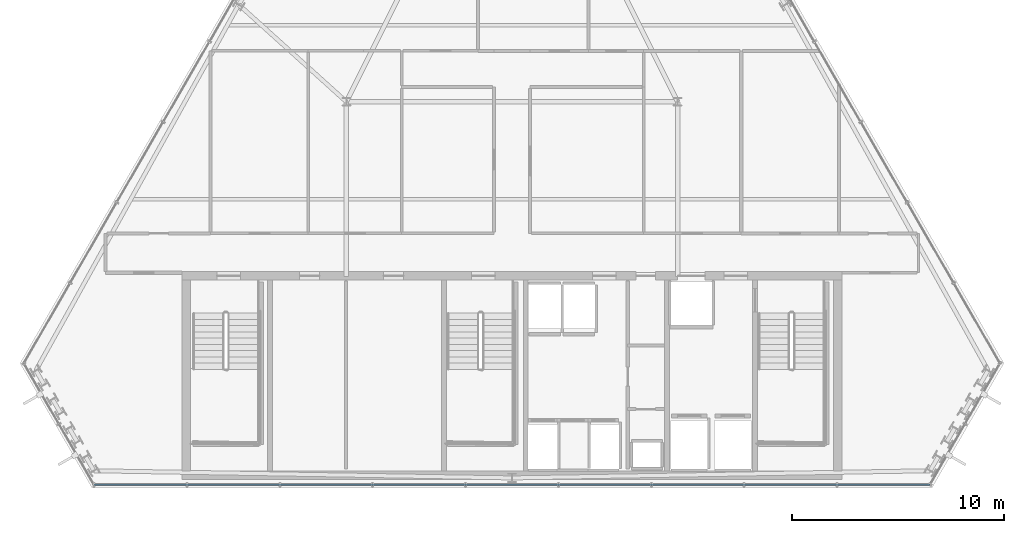
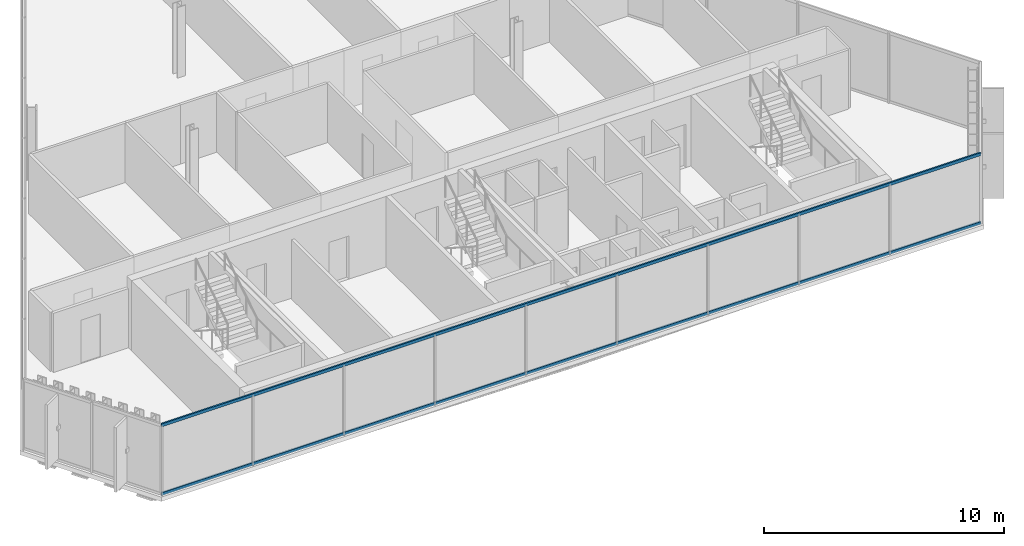
# One storey, part 7 of 29: 2 members, 1 element without a shape of its own.
"""IFC4 building model written with IfcOpenShell, lengths in metres."""

import ifcopenshell
import ifcopenshell.guid

model = None  # the IFC model being written
_history = None  # IfcOwnerHistory: only IFC2X3 demands one
_inside = {}  # id of a spatial element -> (the spatial element, [elements in it])
_under = {}  # id of a project, library or spatial element -> (it, [spatial elements below it])
_declared = {}  # id of a project -> (the project, [libraries it declares])
_typed = {}  # id of a type object -> (the type object, [elements of that type])
_made_of = {}  # id of a material, layer set ... -> (it, [elements and type objects made of it])


def new_model(schema):
    """Start an empty IFC model of exactly this schema.

    Asked for "IFC4X3", IfcOpenShell would pick the latest addendum, in which some entities
    have other attributes; the version numbers below select the first issue.
    IFC2X3 requires an IfcOwnerHistory on every rooted entity: one is made here for all.
    """
    global model, _history
    if schema == "IFC4X3":
        model = ifcopenshell.file(schema_version=(4, 3, 0, 0))
    else:
        model = ifcopenshell.file(schema=schema)
    _inside.clear()
    _under.clear()
    _declared.clear()
    _typed.clear()
    _made_of.clear()
    _history = None
    if model.schema == "IFC2X3":
        org = make("IfcOrganization", Name="unknown")
        user = make(
            "IfcPersonAndOrganization",
            ThePerson=make("IfcPerson", FamilyName="unknown"),
            TheOrganization=org,
        )
        app = make(
            "IfcApplication",
            ApplicationDeveloper=org,
            Version="unknown",
            ApplicationFullName="unknown",
            ApplicationIdentifier="unknown",
        )
        _history = make(
            "IfcOwnerHistory",
            OwningUser=user,
            OwningApplication=app,
            ChangeAction="ADDED",
            CreationDate=0,
        )
    return model


def make(cls, **values):
    """One entity of the class cls with the attributes given. An attribute that is None is left unset."""
    return model.create_entity(
        cls, **{name: value for name, value in values.items() if value is not None}
    )


def rooted(cls, **values):
    """An entity with a GlobalId (a new one), such as an element, a storey or a relation."""
    return make(cls, GlobalId=ifcopenshell.guid.new(), OwnerHistory=_history, **values)


def si_unit(unit_type, name, prefix=None):
    """IfcSIUnit, for example si_unit("LENGTHUNIT", "METRE", prefix="MILLI")."""
    return make("IfcSIUnit", UnitType=unit_type, Prefix=prefix, Name=name)


def assignment(units):
    """IfcUnitAssignment: the units of a project."""
    return None if units is None else make("IfcUnitAssignment", Units=units)


def point(xyz):
    """IfcCartesianPoint."""
    return None if xyz is None else make("IfcCartesianPoint", Coordinates=xyz)


def direction(xyz):
    """IfcDirection."""
    return None if xyz is None else make("IfcDirection", DirectionRatios=xyz)


def frame(location, z_axis=None, x_axis=None):
    """IfcAxis2Placement3D, a coordinate frame: its origin and axes. An axis left out is left unset."""
    return make(
        "IfcAxis2Placement3D",
        Location=point(location),
        Axis=direction(z_axis),
        RefDirection=direction(x_axis),
    )


def frame_2d(location, x_axis=None):
    """IfcAxis2Placement2D, a coordinate frame in the plane: its origin and x axis."""
    return make(
        "IfcAxis2Placement2D", Location=point(location), RefDirection=direction(x_axis)
    )


def origin():
    """The frame at (0, 0, 0) with its axes left unset."""
    return frame((0.0, 0.0, 0.0))


def origin_2d():
    """The frame at (0, 0) in the plane with its x axis left unset."""
    return frame_2d((0.0, 0.0))


def place(relative_to, where):
    """IfcLocalPlacement: puts the frame where relative to a parent placement (None: the world)."""
    return make(
        "IfcLocalPlacement", PlacementRelTo=relative_to, RelativePlacement=where
    )


def context(
    kind, dimensions, precision=None, world=None, true_north=None, identifier=None
):
    """IfcGeometricRepresentationContext, for example the 3D "Model" context."""
    return make(
        "IfcGeometricRepresentationContext",
        ContextIdentifier=identifier,
        ContextType=kind,
        CoordinateSpaceDimension=dimensions,
        Precision=precision,
        WorldCoordinateSystem=world,
        TrueNorth=true_north,
    )


def subcontext(parent, identifier, kind, view, scale=None):
    """IfcGeometricRepresentationSubContext, for example "Body" below "Model"."""
    return make(
        "IfcGeometricRepresentationSubContext",
        ContextIdentifier=identifier,
        ContextType=kind,
        ParentContext=parent,
        TargetScale=scale,
        TargetView=view,
    )


def project(units=None, contexts=None):
    """IfcProject with its units and contexts."""
    return rooted(
        "IfcProject",
        Name="project",
        RepresentationContexts=contexts,
        UnitsInContext=assignment(units),
    )


def spatial(cls, under=None, at=None, **own):
    """A site, building, storey or space (cls), placed at a placement, below another one or the project."""
    s = rooted(cls, ObjectPlacement=at, **own)
    if under is not None:
        _under.setdefault(under.id(), (under, []))[1].append(s)
    return s


def profile(cls, at=None, kind="AREA", **sizes):
    """A parametric profile (cls). Its sizes go by their IFC names, for example OverallWidth=200.0."""
    return make(cls, ProfileType=kind, Position=at, **sizes)


def hollow_rectangle(**sizes):
    """IfcRectangleHollowProfileDef."""
    return profile("IfcRectangleHollowProfileDef", **sizes)


def extrude(swept, where, along, depth):
    """IfcExtrudedAreaSolid: the profile swept, set in the frame where, extruded along a direction by depth."""
    return make(
        "IfcExtrudedAreaSolid",
        SweptArea=swept,
        Position=where,
        ExtrudedDirection=direction(along),
        Depth=depth,
    )


def shape(context_of_items, identifier, shape_type, items):
    """IfcShapeRepresentation: the items that make up one representation, for example the "Body"."""
    return make(
        "IfcShapeRepresentation",
        ContextOfItems=context_of_items,
        RepresentationIdentifier=identifier,
        RepresentationType=shape_type,
        Items=items,
    )


def material(Name=None, Category=None):
    """IfcMaterial."""
    return make("IfcMaterial", Name=Name, Category=Category)


def layer(
    of_material, thickness, ventilated=None, Name=None, Category=None, Priority=None
):
    """IfcMaterialLayer: one layer of a wall or slab, of a material (None: an air gap)."""
    return make(
        "IfcMaterialLayer",
        Material=of_material,
        LayerThickness=thickness,
        IsVentilated=ventilated,
        Name=Name,
        Category=Category,
        Priority=Priority,
    )


def layer_set(layers, Name=None):
    """IfcMaterialLayerSet."""
    return make("IfcMaterialLayerSet", MaterialLayers=layers, LayerSetName=Name)


def material_profile(
    of_material, cross_section, Name=None, Category=None, Priority=None
):
    """IfcMaterialProfile: a cross section and its material."""
    return make(
        "IfcMaterialProfile",
        Name=Name,
        Material=of_material,
        Profile=cross_section,
        Priority=Priority,
        Category=Category,
    )


def profile_set(profiles, Name=None, composite=None):
    """IfcMaterialProfileSet."""
    return make(
        "IfcMaterialProfileSet",
        Name=Name,
        MaterialProfiles=profiles,
        CompositeProfile=composite,
    )


def made_of(thing, what):
    """Note that an element or type object is made of a material, layer set ...; save() writes the relation."""
    if what is not None:
        _made_of.setdefault(what.id(), (what, []))[1].append(thing)
    return thing


def type_object(cls, material=None, **own):
    """A type object (cls), such as IfcWallType, which elements share."""
    return made_of(rooted(cls, **own), material)


def element(
    cls,
    number,
    at=None,
    inside=None,
    cuts=None,
    type_object=None,
    material=None,
    context=None,
    identifier="Body",
    shape_type=None,
    held_by="IfcProductDefinitionShape",
    body=None,
    shapes=None,
    **own,
):
    """One element of the class cls, such as IfcWall. Its Tag is "e" and its number.

    at: its placement. inside: the storey or other place that contains it. cuts: it is an
    opening in that element (IfcRelVoidsElement). A single representation is given by context,
    identifier, shape_type and body (its items); several are given by shapes. held_by: the class
    of the entity that holds the representations. save() writes the other relations.
    """
    e = rooted(cls, Tag="e%d" % number, ObjectPlacement=at, **own)
    if body is not None:
        shapes = [shape(context, identifier, shape_type, body)]
    if shapes is not None:
        e.Representation = make(held_by, Representations=shapes)
    if inside is not None:
        _inside.setdefault(inside.id(), (inside, []))[1].append(e)
    if cuts is not None:
        rooted(
            "IfcRelVoidsElement", RelatingBuildingElement=cuts, RelatedOpeningElement=e
        )
    if type_object is not None:
        _typed.setdefault(type_object.id(), (type_object, []))[1].append(e)
    return made_of(e, material)


def aggregate(whole, parts):
    """IfcRelAggregates: a whole, such as a stair, and the parts it consists of."""
    return rooted("IfcRelAggregates", RelatingObject=whole, RelatedObjects=parts)


def save(model, path):
    """Write the relations noted so far, then the file.

    IfcRelAggregates (storeys below a building ...), IfcRelContainedInSpatialStructure (elements
    in a storey), IfcRelDefinesByType, IfcRelAssociatesMaterial and IfcRelDeclares: one each for
    every whole, place, type object, material and project.
    """
    for whole, parts in _under.values():
        aggregate(whole, parts)
    for where, things in _inside.values():
        rooted(
            "IfcRelContainedInSpatialStructure",
            RelatedElements=things,
            RelatingStructure=where,
        )
    for kind, things in _typed.values():
        rooted("IfcRelDefinesByType", RelatedObjects=things, RelatingType=kind)
    for what, things in _made_of.values():
        rooted("IfcRelAssociatesMaterial", RelatedObjects=things, RelatingMaterial=what)
    for by, libraries in _declared.values():
        rooted("IfcRelDeclares", RelatingContext=by, RelatedDefinitions=libraries)
    model.write(path)


model = new_model("IFC4")

# Units and contexts
model_context = context("Model", 3, precision=1e-05, world=origin(), true_north=direction((0.0, 1.0)))
body_context = subcontext(model_context, "Body", "Model", "MODEL_VIEW")
ifc_project = project(units=[si_unit("LENGTHUNIT", "METRE"), si_unit("AREAUNIT", "SQUARE_METRE"), si_unit("VOLUMEUNIT", "CUBIC_METRE"), si_unit("PLANEANGLEUNIT", "RADIAN"), si_unit("MASSUNIT", "GRAM", prefix="KILO")], contexts=[model_context])

# Site, building, storey
site_placement = place(None, origin())
site = spatial("IfcSite", under=ifc_project, at=site_placement, CompositionType="ELEMENT")
building_placement = place(site_placement, origin())
building = spatial("IfcBuilding", under=site, at=building_placement, Name="Ndaravel Arena Tower", CompositionType="ELEMENT")
storey_placement = place(building_placement, frame((0.0, 0.0, 244.60009765625)))
storey = spatial("IfcBuildingStorey", under=building, at=storey_placement, Name="L59", CompositionType="ELEMENT", Elevation=244.60009765625)

# Curtain wall, members
ifc_material_1 = material(Name="Aluminium", Category="aluminium")
ifc_layer = layer(ifc_material_1, 0.179931640625)
ifc_layer_set = layer_set([ifc_layer], Name="Aluminium")
curtain_wall_type = type_object("IfcCurtainWallType", Name="CW-SYS-03", PredefinedType="NOTDEFINED", material=ifc_layer_set)
curtain_wall_placement = place(storey_placement, origin())
curtain_wall = element("IfcCurtainWall", 1, at=curtain_wall_placement, inside=storey, type_object=curtain_wall_type, Name="L59 Faceted Crystal Curtain Wall CW-L59-E01", PredefinedType="NOTDEFINED")
ifc_material_2 = material(Name="Aluminium", Category="aluminium")
ifc_material_profile = material_profile(ifc_material_2, hollow_rectangle(XDim=0.074951171875, YDim=0.14990234375, WallThickness=0.00390625, at=origin_2d()), Name="CW TRANSOM 75x150x4")
ifc_profile_set = profile_set([ifc_material_profile], Name="Aluminium")
member_type = type_object("IfcMemberType", Name="MEM-CW-TRN150", PredefinedType="USERDEFINED", material=ifc_profile_set)
member_1_placement = place(storey_placement, frame((22.30810546875, 5.159912109375, 0.039794921875), z_axis=(1.0, 0.0, 0.0), x_axis=(0.0, 1.0, 0.0)))
member_1 = element("IfcMember", 2, at=member_1_placement, type_object=member_type, Name="CW-L59-E01 Transom 01", ObjectType="TRANSOM", PredefinedType="USERDEFINED", context=body_context, shape_type="SweptSolid", body=[
    extrude(hollow_rectangle(XDim=0.074951171875, YDim=0.14990234375, WallThickness=0.00390625, at=origin_2d()), origin(), (0.0, 0.0, 1.0), 39.3837890625),
])
member_2_placement = place(storey_placement, frame((22.30810546875, 5.159912109375, 3.539794921875), z_axis=(1.0, 0.0, 0.0), x_axis=(0.0, 1.0, 0.0)))
member_2 = element("IfcMember", 3, at=member_2_placement, type_object=member_type, Name="CW-L59-E01 Transom 02", ObjectType="TRANSOM", PredefinedType="USERDEFINED", context=body_context, shape_type="SweptSolid", body=[
    extrude(hollow_rectangle(XDim=0.074951171875, YDim=0.14990234375, WallThickness=0.00390625, at=origin_2d()), origin(), (0.0, 0.0, 1.0), 39.3837890625),
])
aggregate(curtain_wall, [member_1, member_2])

save(model, "model.ifc")
